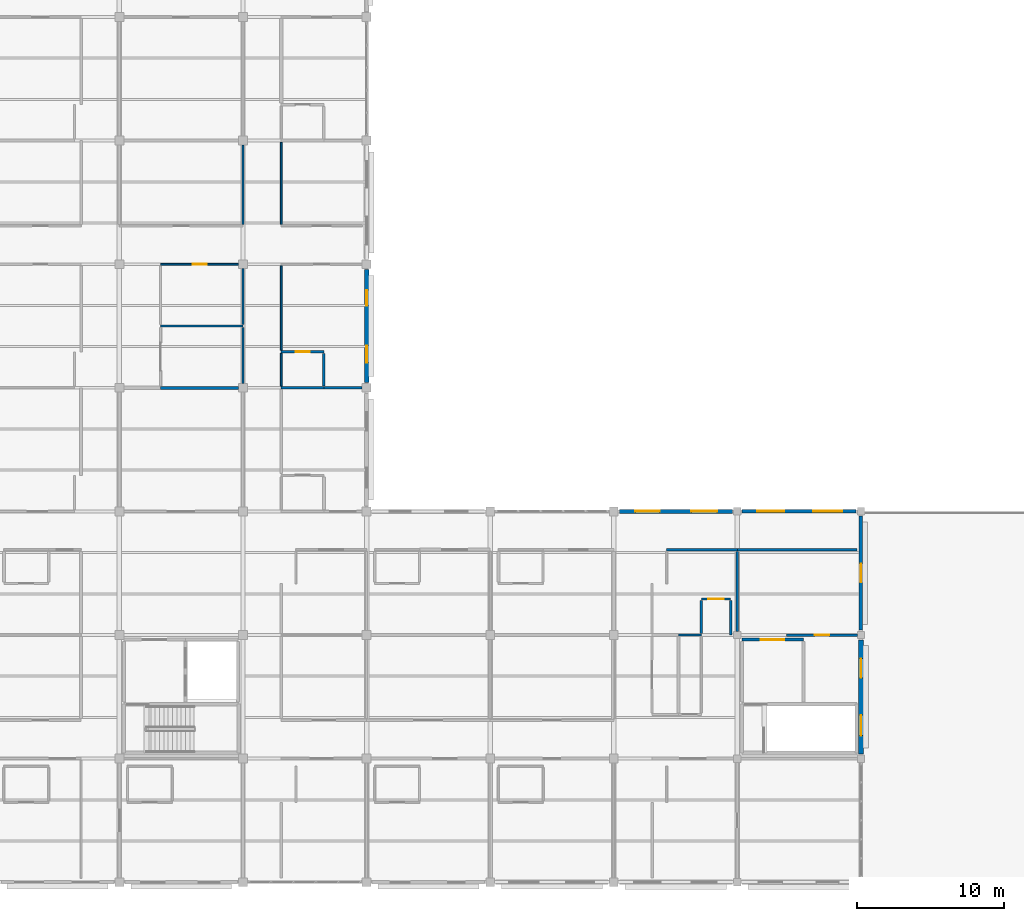
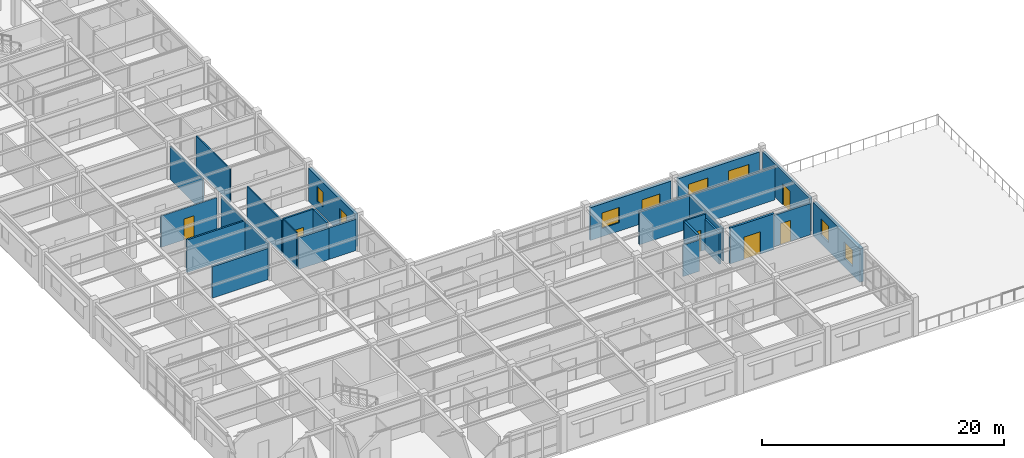
# One storey, part 48 of 70: 27 walls, 8 windows, 6 doors, 14 openings.
"""IFC4 building model written with IfcOpenShell, lengths in metres."""

from ifc_helpers import new_model, si_unit, direction, frame, frame_2d, origin, place, context, subcontext, project, spatial, rectangle, extrude, material, layer, layer_set, type_object, element, fill, save


model = new_model("IFC4")

# Units and contexts
model_context = context("Model", 3, precision=1e-05, world=origin(), true_north=direction((0.0, 1.0)))
body_context = subcontext(model_context, "Body", "Model", "MODEL_VIEW")
ifc_project = project(units=[si_unit("LENGTHUNIT", "METRE"), si_unit("AREAUNIT", "SQUARE_METRE"), si_unit("VOLUMEUNIT", "CUBIC_METRE"), si_unit("PLANEANGLEUNIT", "RADIAN"), si_unit("MASSUNIT", "GRAM", prefix="KILO")], contexts=[model_context])

# Site, building, storey
site_placement = place(None, origin())
site = spatial("IfcSite", under=ifc_project, at=site_placement, CompositionType="ELEMENT")
building_placement = place(site_placement, origin())
building = spatial("IfcBuilding", under=site, at=building_placement, Name="Bramfleet General Hospital", CompositionType="ELEMENT")
storey_placement = place(building_placement, frame((0.0, 0.0, 22.5)))
storey = spatial("IfcBuildingStorey", under=building, at=storey_placement, Name="L05", CompositionType="ELEMENT", Elevation=22.5)

# Wall, openings, windows
ifc_material_1 = material(Name="Precast concrete C40/50", Category="concrete")
ifc_layer_1 = layer(ifc_material_1, 0.3349609375, Name="WT-EW-03")
ifc_layer_set_1 = layer_set([ifc_layer_1], Name="Precast concrete C40/50")
wall_type_1 = type_object("IfcWallType", Name="WT-EW-03", PredefinedType="SOLIDWALL", material=ifc_layer_set_1)
wall_1_placement = place(storey_placement, frame((151.199951171875, 16.47509765625, 0.0), z_axis=(0.0, 0.0, 1.0), x_axis=(0.0, -1.0, 0.0)))
wall_1 = element("IfcWall", 1, at=wall_1_placement, inside=storey, type_object=wall_type_1, Name="L05 Exterior Wall 372", PredefinedType="SOLIDWALL", context=body_context, shape_type="SweptSolid", body=[
    extrude(rectangle(XDim=7.75, YDim=0.3349609375, at=frame_2d((3.875, 0.0))), origin(), (0.0, 0.0, 1.0), 3.3701171875),
])
opening_1_placement = place(wall_1_placement, frame((1.28759765625, 0.0, 0.85009765625)))
opening_1 = element("IfcOpeningElement", 2, at=opening_1_placement, cuts=wall_1, Name="Opening W-33", PredefinedType="OPENING", context=body_context, shape_type="SweptSolid", body=[
    extrude(rectangle(XDim=1.300048828125, YDim=1.659912109375, at=frame_2d((0.64990234375, 0.830078125))), frame((0.0, 0.177490234375, 0.0), z_axis=(0.0, -1.0, 0.0), x_axis=(1.0, 0.0, 0.0)), (0.0, 0.0, 1.0), 0.35498046875),
])
opening_2_placement = place(wall_1_placement, frame((5.112548828125, 0.0, 0.85009765625)))
opening_2 = element("IfcOpeningElement", 3, at=opening_2_placement, cuts=wall_1, Name="Opening W-34", PredefinedType="OPENING", context=body_context, shape_type="SweptSolid", body=[
    extrude(rectangle(XDim=1.39990234375, YDim=1.659912109375, at=frame_2d((0.699951171875, 0.830078125))), frame((0.0, 0.177490234375, 0.0), z_axis=(0.0, -1.0, 0.0), x_axis=(1.0, 0.0, 0.0)), (0.0, 0.0, 1.0), 0.35498046875),
])
ifc_material_2 = material(Name="Anodised aluminium and low-E triple glazing", Category="aluminium")
window_type_1 = type_object("IfcWindowType", Name="WIN-W-33", PartitioningType="SINGLE_PANEL", PredefinedType="WINDOW", material=ifc_material_2)
window_1_placement = place(opening_1_placement, origin())
window_1 = element("IfcWindow", 4, at=window_1_placement, inside=storey, type_object=window_type_1, Name="L05 Facade Window WIN-L05-372-1", OverallHeight=1.659912109375, OverallWidth=1.300048828125, PartitioningType="SINGLE_PANEL", PredefinedType="WINDOW", context=body_context, shape_type="SweptSolid", body=[
    extrude(rectangle(XDim=1.300048828125, YDim=1.659912109375, at=frame_2d((0.64990234375, 0.830078125))), frame((0.0, 0.030029296875, 0.0), z_axis=(0.0, -1.0, 0.0), x_axis=(1.0, 0.0, 0.0)), (0.0, 0.0, 1.0), 0.06005859375),
])
fill(opening_1, window_1)
window_type_2 = type_object("IfcWindowType", Name="WIN-W-34", PartitioningType="SINGLE_PANEL", PredefinedType="WINDOW", material=ifc_material_2)
window_2_placement = place(opening_2_placement, origin())
window_2 = element("IfcWindow", 5, at=window_2_placement, inside=storey, type_object=window_type_2, Name="L05 Facade Window WIN-L05-372-2", OverallHeight=1.659912109375, OverallWidth=1.39990234375, PartitioningType="SINGLE_PANEL", PredefinedType="WINDOW", context=body_context, shape_type="SweptSolid", body=[
    extrude(rectangle(XDim=1.39990234375, YDim=1.659912109375, at=frame_2d((0.699951171875, 0.830078125))), frame((0.0, 0.030029296875, 0.0), z_axis=(0.0, -1.0, 0.0), x_axis=(1.0, 0.0, 0.0)), (0.0, 0.0, 1.0), 0.06005859375),
])
fill(opening_2, window_2)

ifc_layer_2 = layer(ifc_material_1, 0.31494140625, Name="WT-EW-04")
ifc_layer_set_2 = layer_set([ifc_layer_2], Name="Precast concrete C40/50")
wall_type_2 = type_object("IfcWallType", Name="WT-EW-04", PredefinedType="SOLIDWALL", material=ifc_layer_set_2)
wall_2_placement = place(storey_placement, frame((117.60009765625, 41.625, 0.0), z_axis=(0.0, 0.0, 1.0), x_axis=(0.0, -1.0, 0.0)))
wall_2 = element("IfcWall", 6, at=wall_2_placement, inside=storey, type_object=wall_type_2, Name="L05 Exterior Wall 366", PredefinedType="SOLIDWALL", context=body_context, shape_type="SweptSolid", body=[
    extrude(rectangle(XDim=7.64990234375, YDim=0.31494140625, at=frame_2d((3.824951171875, 0.0))), origin(), (0.0, 0.0, 1.0), 3.340087890625),
])
opening_3_placement = place(wall_2_placement, frame((1.387451171875, 0.0, 0.85009765625)))
opening_3 = element("IfcOpeningElement", 7, at=opening_3_placement, cuts=wall_2, Name="Opening W-21", PredefinedType="OPENING", context=body_context, shape_type="SweptSolid", body=[
    extrude(rectangle(XDim=1.050048828125, YDim=1.5400390625, at=frame_2d((0.52490234375, 0.77001953125))), frame((0.0, 0.16748046875, 0.0), z_axis=(0.0, -1.0, 0.0), x_axis=(1.0, 0.0, 0.0)), (0.0, 0.0, 1.0), 0.3349609375),
])
opening_4_placement = place(wall_2_placement, frame((5.16259765625, 0.0, 0.85009765625)))
opening_4 = element("IfcOpeningElement", 8, at=opening_4_placement, cuts=wall_2, Name="Opening W-22", PredefinedType="OPENING", context=body_context, shape_type="SweptSolid", body=[
    extrude(rectangle(XDim=1.14990234375, YDim=1.5400390625, at=frame_2d((0.574951171875, 0.77001953125))), frame((0.0, 0.16748046875, 0.0), z_axis=(0.0, -1.0, 0.0), x_axis=(1.0, 0.0, 0.0)), (0.0, 0.0, 1.0), 0.3349609375),
])
window_type_3 = type_object("IfcWindowType", Name="WIN-W-21", PartitioningType="SINGLE_PANEL", PredefinedType="WINDOW", material=ifc_material_2)
window_3_placement = place(opening_3_placement, origin())
window_3 = element("IfcWindow", 9, at=window_3_placement, inside=storey, type_object=window_type_3, Name="L05 Facade Window WIN-L05-366-1", OverallHeight=1.5400390625, OverallWidth=1.050048828125, PartitioningType="SINGLE_PANEL", PredefinedType="WINDOW", context=body_context, shape_type="SweptSolid", body=[
    extrude(rectangle(XDim=1.050048828125, YDim=1.5400390625, at=frame_2d((0.52490234375, 0.77001953125))), frame((0.0, 0.030029296875, 0.0), z_axis=(0.0, -1.0, 0.0), x_axis=(1.0, 0.0, 0.0)), (0.0, 0.0, 1.0), 0.06005859375),
])
fill(opening_3, window_3)
window_type_4 = type_object("IfcWindowType", Name="WIN-W-22", PartitioningType="SINGLE_PANEL", PredefinedType="WINDOW", material=ifc_material_2)
window_4_placement = place(opening_4_placement, origin())
window_4 = element("IfcWindow", 10, at=window_4_placement, inside=storey, type_object=window_type_4, Name="L05 Facade Window WIN-L05-366-2", OverallHeight=1.5400390625, OverallWidth=1.14990234375, PartitioningType="SINGLE_PANEL", PredefinedType="WINDOW", context=body_context, shape_type="SweptSolid", body=[
    extrude(rectangle(XDim=1.14990234375, YDim=1.5400390625, at=frame_2d((0.574951171875, 0.77001953125))), frame((0.0, 0.030029296875, 0.0), z_axis=(0.0, -1.0, 0.0), x_axis=(1.0, 0.0, 0.0)), (0.0, 0.0, 1.0), 0.06005859375),
])
fill(opening_4, window_4)

ifc_layer_3 = layer(ifc_material_1, 0.264892578125, Name="WT-EW-07")
ifc_layer_set_3 = layer_set([ifc_layer_3], Name="Precast concrete C40/50")
wall_type_3 = type_object("IfcWallType", Name="WT-EW-07", PredefinedType="SOLIDWALL", material=ifc_layer_set_3)
wall_3_placement = place(storey_placement, frame((134.77490234375, 25.199951171875, 0.0), z_axis=(0.0, 0.0, 1.0), x_axis=(1.0, 0.0, 0.0)))
wall_3 = element("IfcWall", 11, at=wall_3_placement, inside=storey, type_object=wall_type_3, Name="L05 Exterior Wall 369", PredefinedType="SOLIDWALL", context=body_context, shape_type="SweptSolid", body=[
    extrude(rectangle(XDim=7.7001953125, YDim=0.264892578125, at=frame_2d((3.85009765625, 0.0))), origin(), (0.0, 0.0, 1.0), 3.31005859375),
])
opening_5_placement = place(wall_3_placement, frame((1.10009765625, 0.0, 0.85009765625)))
opening_5 = element("IfcOpeningElement", 12, at=opening_5_placement, cuts=wall_3, Name="Opening W-27", PredefinedType="OPENING", context=body_context, shape_type="SweptSolid", body=[
    extrude(rectangle(XDim=1.64990234375, YDim=1.5400390625, at=frame_2d((0.824951171875, 0.77001953125))), frame((0.0, 0.142333984375, 0.0), z_axis=(0.0, -1.0, 0.0), x_axis=(1.0, 0.0, 0.0)), (0.0, 0.0, 1.0), 0.284912109375),
])
opening_6_placement = place(wall_3_placement, frame((4.89990234375, 0.0, 0.85009765625)))
opening_6 = element("IfcOpeningElement", 13, at=opening_6_placement, cuts=wall_3, Name="Opening W-28", PredefinedType="OPENING", context=body_context, shape_type="SweptSolid", body=[
    extrude(rectangle(XDim=1.75, YDim=1.5400390625, at=frame_2d((0.875, 0.77001953125))), frame((0.0, 0.142333984375, 0.0), z_axis=(0.0, -1.0, 0.0), x_axis=(1.0, 0.0, 0.0)), (0.0, 0.0, 1.0), 0.284912109375),
])
window_type_5 = type_object("IfcWindowType", Name="WIN-W-27", PartitioningType="SINGLE_PANEL", PredefinedType="WINDOW", material=ifc_material_2)
window_5_placement = place(opening_5_placement, origin())
window_5 = element("IfcWindow", 14, at=window_5_placement, inside=storey, type_object=window_type_5, Name="L05 Facade Window WIN-L05-369-1", OverallHeight=1.5400390625, OverallWidth=1.64990234375, PartitioningType="SINGLE_PANEL", PredefinedType="WINDOW", context=body_context, shape_type="SweptSolid", body=[
    extrude(rectangle(XDim=1.64990234375, YDim=1.5400390625, at=frame_2d((0.824951171875, 0.77001953125))), frame((0.0, 0.030029296875, 0.0), z_axis=(0.0, -1.0, 0.0), x_axis=(1.0, 0.0, 0.0)), (0.0, 0.0, 1.0), 0.06005859375),
])
fill(opening_5, window_5)
window_type_6 = type_object("IfcWindowType", Name="WIN-W-28", PartitioningType="SINGLE_PANEL", PredefinedType="WINDOW", material=ifc_material_2)
window_6_placement = place(opening_6_placement, origin())
window_6 = element("IfcWindow", 15, at=window_6_placement, inside=storey, type_object=window_type_6, Name="L05 Facade Window WIN-L05-369-2", OverallHeight=1.5400390625, OverallWidth=1.75, PartitioningType="SINGLE_PANEL", PredefinedType="WINDOW", context=body_context, shape_type="SweptSolid", body=[
    extrude(rectangle(XDim=1.75, YDim=1.5400390625, at=frame_2d((0.875, 0.77001953125))), frame((0.0, 0.030029296875, 0.0), z_axis=(0.0, -1.0, 0.0), x_axis=(1.0, 0.0, 0.0)), (0.0, 0.0, 1.0), 0.06005859375),
])
fill(opening_6, window_6)

ifc_layer_4 = layer(ifc_material_1, 0.25, Name="WT-EW-08")
ifc_layer_set_4 = layer_set([ifc_layer_4], Name="Precast concrete C40/50")
wall_type_4 = type_object("IfcWallType", Name="WT-EW-08", PredefinedType="SOLIDWALL", material=ifc_layer_set_4)
wall_4_placement = place(storey_placement, frame((143.125, 25.199951171875, 0.0), z_axis=(0.0, 0.0, 1.0), x_axis=(1.0, 0.0, 0.0)))
wall_4 = element("IfcWall", 16, at=wall_4_placement, inside=storey, type_object=wall_type_4, Name="L05 Exterior Wall 370", PredefinedType="SOLIDWALL", context=body_context, shape_type="SweptSolid", body=[
    extrude(rectangle(XDim=7.75, YDim=0.25, at=frame_2d((3.875, 0.0))), origin(), (0.0, 0.0, 1.0), 3.300048828125),
])
opening_7_placement = place(wall_4_placement, frame((1.012451171875, 0.0, 0.85009765625)))
opening_7 = element("IfcOpeningElement", 17, at=opening_7_placement, cuts=wall_4, Name="Opening W-29", PredefinedType="OPENING", context=body_context, shape_type="SweptSolid", body=[
    extrude(rectangle(XDim=1.85009765625, YDim=1.5400390625, at=frame_2d((0.925048828125, 0.77001953125))), frame((0.0, 0.135009765625, 0.0), z_axis=(0.0, -1.0, 0.0), x_axis=(1.0, 0.0, 0.0)), (0.0, 0.0, 1.0), 0.27001953125),
])
opening_8_placement = place(wall_4_placement, frame((4.83740234375, 0.0, 0.85009765625)))
opening_8 = element("IfcOpeningElement", 18, at=opening_8_placement, cuts=wall_4, Name="Opening W-30", PredefinedType="OPENING", context=body_context, shape_type="SweptSolid", body=[
    extrude(rectangle(XDim=1.949951171875, YDim=1.5400390625, at=frame_2d((0.97509765625, 0.77001953125))), frame((0.0, 0.135009765625, 0.0), z_axis=(0.0, -1.0, 0.0), x_axis=(1.0, 0.0, 0.0)), (0.0, 0.0, 1.0), 0.27001953125),
])
window_type_7 = type_object("IfcWindowType", Name="WIN-W-29", PartitioningType="SINGLE_PANEL", PredefinedType="WINDOW", material=ifc_material_2)
window_7_placement = place(opening_7_placement, origin())
window_7 = element("IfcWindow", 19, at=window_7_placement, inside=storey, type_object=window_type_7, Name="L05 Facade Window WIN-L05-370-1", OverallHeight=1.5400390625, OverallWidth=1.85009765625, PartitioningType="SINGLE_PANEL", PredefinedType="WINDOW", context=body_context, shape_type="SweptSolid", body=[
    extrude(rectangle(XDim=1.85009765625, YDim=1.5400390625, at=frame_2d((0.925048828125, 0.77001953125))), frame((0.0, 0.030029296875, 0.0), z_axis=(0.0, -1.0, 0.0), x_axis=(1.0, 0.0, 0.0)), (0.0, 0.0, 1.0), 0.06005859375),
])
fill(opening_7, window_7)
window_type_8 = type_object("IfcWindowType", Name="WIN-W-30", PartitioningType="SINGLE_PANEL", PredefinedType="WINDOW", material=ifc_material_2)
window_8_placement = place(opening_8_placement, origin())
window_8 = element("IfcWindow", 20, at=window_8_placement, inside=storey, type_object=window_type_8, Name="L05 Facade Window WIN-L05-370-2", OverallHeight=1.5400390625, OverallWidth=1.949951171875, PartitioningType="SINGLE_PANEL", PredefinedType="WINDOW", context=body_context, shape_type="SweptSolid", body=[
    extrude(rectangle(XDim=1.949951171875, YDim=1.5400390625, at=frame_2d((0.97509765625, 0.77001953125))), frame((0.0, 0.030029296875, 0.0), z_axis=(0.0, -1.0, 0.0), x_axis=(1.0, 0.0, 0.0)), (0.0, 0.0, 1.0), 0.06005859375),
])
fill(opening_8, window_8)

# Wall, opening, door
ifc_layer_5 = layer(ifc_material_1, 0.235107421875, Name="WT-EW-09")
ifc_layer_set_5 = layer_set([ifc_layer_5], Name="Precast concrete C40/50")
wall_type_5 = type_object("IfcWallType", Name="WT-EW-09", PredefinedType="SOLIDWALL", material=ifc_layer_set_5)
wall_5_placement = place(storey_placement, frame((151.199951171875, 24.875, 0.0), z_axis=(0.0, 0.0, 1.0), x_axis=(0.0, -1.0, 0.0)))
wall_5 = element("IfcWall", 21, at=wall_5_placement, inside=storey, type_object=wall_type_5, Name="L05 Exterior Wall 371", PredefinedType="SOLIDWALL", context=body_context, shape_type="SweptSolid", body=[
    extrude(rectangle(XDim=7.75, YDim=0.235107421875, at=frame_2d((3.875, 0.0))), origin(), (0.0, 0.0, 1.0), 3.3701171875),
])
opening_9_placement = place(wall_5_placement, frame((3.2451171875, 0.0, 0.0)))
opening_9 = element("IfcOpeningElement", 22, at=opening_9_placement, cuts=wall_5, Name="Opening D-L05-TER-028", PredefinedType="OPENING", context=body_context, shape_type="SweptSolid", body=[
    extrude(rectangle(XDim=1.260009765625, YDim=2.14990234375, at=frame_2d((0.6298828125, 1.074951171875))), frame((0.0, 0.12744140625, 0.0), z_axis=(0.0, -1.0, 0.0), x_axis=(1.0, 0.0, 0.0)), (0.0, 0.0, 1.0), 0.255126953125),
])
ifc_material_3 = material(Name="Thermally broken steel and laminated safety glass", Category="steel")
door_type_1 = type_object("IfcDoorType", Name="DR-ED-05", OperationType="NOTDEFINED", PredefinedType="DOOR", material=ifc_material_3)
door_1_placement = place(opening_9_placement, origin())
door_1 = element("IfcDoor", 23, at=door_1_placement, inside=storey, type_object=door_type_1, Name="L05 Terrace Pedestrian Access Door D-L05-TER-028", OperationType="SINGLE_SWING_LEFT", OverallHeight=2.14990234375, OverallWidth=1.260009765625, PredefinedType="DOOR", context=body_context, shape_type="SweptSolid", body=[
    extrude(rectangle(XDim=1.260009765625, YDim=2.14990234375, at=frame_2d((0.6298828125, 1.074951171875))), frame((0.0, 0.02490234375, 0.0), z_axis=(0.0, -1.0, 0.0), x_axis=(1.0, 0.0, 0.0)), (0.0, 0.0, 1.0), 0.050048828125),
])
fill(opening_9, door_1)

ifc_material_4 = material(Name="Concrete C35/45", Category="concrete")
ifc_layer_6 = layer(ifc_material_4, 0.205078125, Name="WT-IW-02")
ifc_layer_set_6 = layer_set([ifc_layer_6], Name="Concrete C35/45")
wall_type_6 = type_object("IfcWallType", Name="WT-IW-02", PredefinedType="PARTITIONING", material=ifc_layer_set_6)
wall_6_placement = place(storey_placement, frame((143.10009765625, 16.47998046875, 0.0), z_axis=(0.0, 0.0, 1.0), x_axis=(1.0, 0.0, 0.0)))
wall_6 = element("IfcWall", 24, at=wall_6_placement, inside=storey, type_object=wall_type_6, Name="L05 C10 Lobby North Compartment Wall", PredefinedType="PARTITIONING", context=body_context, shape_type="SweptSolid", body=[
    extrude(rectangle(XDim=4.179931640625, YDim=0.205078125, at=frame_2d((2.08984375, 0.0))), origin(), (0.0, 0.0, 1.0), 3.610107421875),
])
opening_10_placement = place(wall_6_placement, frame((1.2900390625, 0.0, 0.0)))
opening_10 = element("IfcOpeningElement", 25, at=opening_10_placement, cuts=wall_6, Name="Opening D0136", PredefinedType="OPENING", context=body_context, shape_type="SweptSolid", body=[
    extrude(rectangle(XDim=1.60009765625, YDim=2.25, at=frame_2d((0.800048828125, 1.125))), frame((0.0, 0.112548828125, 0.0), z_axis=(0.0, -1.0, 0.0), x_axis=(1.0, 0.0, 0.0)), (0.0, 0.0, 1.0), 0.22509765625),
])
ifc_material_5 = material(Name="Stainless steel and acoustic timber leaf", Category="steel")
door_type_2 = type_object("IfcDoorType", Name="DR-D-04", OperationType="NOTDEFINED", PredefinedType="DOOR", material=ifc_material_5)
door_2_placement = place(opening_10_placement, origin())
door_2 = element("IfcDoor", 26, at=door_2_placement, inside=storey, type_object=door_type_2, Name="L05 C10 Lobby Fire Door D0136", OperationType="DOUBLE_SWING_LEFT", OverallHeight=2.25, OverallWidth=1.60009765625, PredefinedType="DOOR", context=body_context, shape_type="SweptSolid", body=[
    extrude(rectangle(XDim=1.60009765625, YDim=2.25, at=frame_2d((0.800048828125, 1.125))), frame((0.0, 0.02490234375, 0.0), z_axis=(0.0, -1.0, 0.0), x_axis=(1.0, 0.0, 0.0)), (0.0, 0.0, 1.0), 0.050048828125),
])
fill(opening_10, door_2)

# Walls
wall_7_placement = place(storey_placement, frame((103.60009765625, 33.60009765625, 0.0), z_axis=(0.0, 0.0, 1.0), x_axis=(1.0, 0.0, 0.0)))
element("IfcWall", 27, at=wall_7_placement, inside=storey, type_object=wall_type_6, Name="L05 Interior Partition IW-L05-3542", PredefinedType="PARTITIONING", context=body_context, shape_type="SweptSolid", body=[
    extrude(rectangle(XDim=5.304931640625, YDim=0.205078125, at=frame_2d((2.65234375, 0.0))), origin(), (0.0, 0.0, 1.0), 3.159912109375),
])
ifc_layer_7 = layer(ifc_material_4, 0.18994140625, Name="WT-IW-03")
ifc_layer_set_7 = layer_set([ifc_layer_7], Name="Concrete C35/45")
wall_type_7 = type_object("IfcWallType", Name="WT-IW-03", PredefinedType="PARTITIONING", material=ifc_layer_set_7)
wall_8_placement = place(storey_placement, frame((111.800048828125, 33.60009765625, 0.0), z_axis=(0.0, 0.0, 1.0), x_axis=(1.0, 0.0, 0.0)))
element("IfcWall", 28, at=wall_8_placement, inside=storey, type_object=wall_type_7, Name="L05 Interior Partition IW-L05-3543", PredefinedType="PARTITIONING", context=body_context, shape_type="SweptSolid", body=[
    extrude(rectangle(XDim=2.89990234375, YDim=0.18994140625, at=frame_2d((1.449951171875, 0.0))), origin(), (0.0, 0.0, 1.0), 3.159912109375),
])
wall_9_placement = place(storey_placement, frame((140.35009765625, 16.9150390625, 0.0), z_axis=(0.0, 0.0, 1.0), x_axis=(0.0, 1.0, 0.0)))
element("IfcWall", 29, at=wall_9_placement, inside=storey, type_object=wall_type_7, Name="L05 Interior Partition IW-L05-3819", PredefinedType="PARTITIONING", context=body_context, shape_type="SweptSolid", body=[
    extrude(rectangle(XDim=2.219970703125, YDim=0.18994140625, at=frame_2d((1.10986328125, 0.0))), origin(), (0.0, 0.0, 1.0), 3.610107421875),
])
ifc_layer_8 = layer(ifc_material_4, 0.179931640625, Name="WT-IW-04")
ifc_layer_set_8 = layer_set([ifc_layer_8], Name="Concrete C35/45")
wall_type_8 = type_object("IfcWallType", Name="WT-IW-04", PredefinedType="PARTITIONING", material=ifc_layer_set_8)
wall_10_placement = place(storey_placement, frame((114.699951171875, 33.60009765625, 0.0), z_axis=(0.0, 0.0, 1.0), x_axis=(1.0, 0.0, 0.0)))
element("IfcWall", 30, at=wall_10_placement, inside=storey, type_object=wall_type_8, Name="L05 Interior Partition IW-L05-3544", PredefinedType="PARTITIONING", context=body_context, shape_type="SweptSolid", body=[
    extrude(rectangle(XDim=2.60498046875, YDim=0.179931640625, at=frame_2d((1.302490234375, 0.0))), origin(), (0.0, 0.0, 1.0), 3.159912109375),
])
wall_11_placement = place(storey_placement, frame((114.699951171875, 33.715087890625, 0.0), z_axis=(0.0, 0.0, 1.0), x_axis=(0.0, 1.0, 0.0)))
element("IfcWall", 31, at=wall_11_placement, inside=storey, type_object=wall_type_8, Name="L05 Interior Partition IW-L05-3772", PredefinedType="PARTITIONING", context=body_context, shape_type="SweptSolid", body=[
    extrude(rectangle(XDim=2.219970703125, YDim=0.179931640625, at=frame_2d((1.10986328125, 0.0))), origin(), (0.0, 0.0, 1.0), 3.610107421875),
])
wall_12_placement = place(storey_placement, frame((142.35009765625, 16.800048828125, 0.0), z_axis=(0.0, 0.0, 1.0), x_axis=(0.0, 1.0, 0.0)))
element("IfcWall", 32, at=wall_12_placement, inside=storey, type_object=wall_type_8, Name="L05 Interior Partition IW-L05-3820", PredefinedType="PARTITIONING", context=body_context, shape_type="SweptSolid", body=[
    extrude(rectangle(XDim=2.3349609375, YDim=0.179931640625, at=frame_2d((1.16748046875, 0.0))), origin(), (0.0, 0.0, 1.0), 3.159912109375),
])

# Wall, opening, door
ifc_material_6 = material(Name="Gypsum plasterboard on acoustic steel studs", Category="steel")
ifc_layer_9 = layer(ifc_material_6, 0.169921875, Name="WT-IW-05")
ifc_layer_set_9 = layer_set([ifc_layer_9], Name="Gypsum plasterboard on acoustic steel studs")
wall_type_9 = type_object("IfcWallType", Name="WT-IW-05", PredefinedType="PARTITIONING", material=ifc_layer_set_9)
wall_13_placement = place(storey_placement, frame((146.14990234375, 16.800048828125, 0.0), z_axis=(0.0, 0.0, 1.0), x_axis=(1.0, 0.0, 0.0)))
wall_13 = element("IfcWall", 33, at=wall_13_placement, inside=storey, type_object=wall_type_9, Name="L05 Interior Partition IW-L05-3521", PredefinedType="PARTITIONING", context=body_context, shape_type="SweptSolid", body=[
    extrude(rectangle(XDim=4.80517578125, YDim=0.169921875, at=frame_2d((2.402587890625, 0.0))), origin(), (0.0, 0.0, 1.0), 3.14990234375),
])
opening_11_placement = place(wall_13_placement, frame((1.91259765625, 0.0, 0.0)))
opening_11 = element("IfcOpeningElement", 34, at=opening_11_placement, cuts=wall_13, Name="Opening D1434", PredefinedType="OPENING", context=body_context, shape_type="SweptSolid", body=[
    extrude(rectangle(XDim=0.97998046875, YDim=2.1201171875, at=frame_2d((0.489990234375, 1.06005859375))), frame((0.0, 0.094970703125, 0.0), z_axis=(0.0, -1.0, 0.0), x_axis=(1.0, 0.0, 0.0)), (0.0, 0.0, 1.0), 0.18994140625),
])
door_type_3 = type_object("IfcDoorType", Name="DR-D-26", OperationType="NOTDEFINED", PredefinedType="DOOR", material=ifc_material_5)
door_3_placement = place(opening_11_placement, origin())
door_3 = element("IfcDoor", 35, at=door_3_placement, inside=storey, type_object=door_type_3, Name="Patient Dayroom and Garden Lounge L05-1702 Door D1434", OperationType="SINGLE_SWING_LEFT", OverallHeight=2.1201171875, OverallWidth=0.97998046875, PredefinedType="DOOR", context=body_context, shape_type="SweptSolid", body=[
    extrude(rectangle(XDim=0.97998046875, YDim=2.1201171875, at=frame_2d((0.489990234375, 1.06005859375))), frame((0.0, 0.02490234375, 0.0), z_axis=(0.0, -1.0, 0.0), x_axis=(1.0, 0.0, 0.0)), (0.0, 0.0, 1.0), 0.050048828125),
])
fill(opening_11, door_3)

# Wall
wall_14_placement = place(storey_placement, frame((138.0, 22.60009765625, 0.0), z_axis=(0.0, 0.0, 1.0), x_axis=(1.0, 0.0, 0.0)))
element("IfcWall", 36, at=wall_14_placement, inside=storey, type_object=wall_type_9, Name="L05 Interior Partition IW-L05-3533", PredefinedType="PARTITIONING", context=body_context, shape_type="SweptSolid", body=[
    extrude(rectangle(XDim=4.800048828125, YDim=0.169921875, at=frame_2d((2.39990234375, 0.0))), origin(), (0.0, 0.0, 1.0), 3.2900390625),
])

# Wall, opening, door
wall_15_placement = place(storey_placement, frame((111.800048828125, 36.050048828125, 0.0), z_axis=(0.0, 0.0, 1.0), x_axis=(1.0, 0.0, 0.0)))
wall_15 = element("IfcWall", 37, at=wall_15_placement, inside=storey, type_object=wall_type_9, Name="L05 Interior Partition IW-L05-3545", PredefinedType="PARTITIONING", context=body_context, shape_type="SweptSolid", body=[
    extrude(rectangle(XDim=2.89990234375, YDim=0.169921875, at=frame_2d((1.449951171875, 0.0))), origin(), (0.0, 0.0, 1.0), 3.610107421875),
])
opening_12_placement = place(wall_15_placement, frame((0.97509765625, 0.0, 0.0)))
opening_12 = element("IfcOpeningElement", 38, at=opening_12_placement, cuts=wall_15, Name="Opening D1398", PredefinedType="OPENING", context=body_context, shape_type="SweptSolid", body=[
    extrude(rectangle(XDim=0.949951171875, YDim=2.10009765625, at=frame_2d((0.47509765625, 1.050048828125))), frame((0.0, 0.094970703125, 0.0), z_axis=(0.0, -1.0, 0.0), x_axis=(1.0, 0.0, 0.0)), (0.0, 0.0, 1.0), 0.18994140625),
])
door_type_4 = type_object("IfcDoorType", Name="DR-D-10", OperationType="NOTDEFINED", PredefinedType="DOOR", material=ifc_material_5)
door_4_placement = place(opening_12_placement, origin())
door_4 = element("IfcDoor", 39, at=door_4_placement, inside=storey, type_object=door_type_4, Name="En-Suite Bathroom L05-1304 Door D1398", OperationType="SINGLE_SWING_LEFT", OverallHeight=2.10009765625, OverallWidth=0.949951171875, PredefinedType="DOOR", context=body_context, shape_type="SweptSolid", body=[
    extrude(rectangle(XDim=0.949951171875, YDim=2.10009765625, at=frame_2d((0.47509765625, 1.050048828125))), frame((0.0, 0.02490234375, 0.0), z_axis=(0.0, -1.0, 0.0), x_axis=(1.0, 0.0, 0.0)), (0.0, 0.0, 1.0), 0.050048828125),
])
fill(opening_12, door_4)

ifc_layer_10 = layer(ifc_material_6, 0.159912109375, Name="WT-IW-06")
ifc_layer_set_10 = layer_set([ifc_layer_10], Name="Gypsum plasterboard on acoustic steel studs")
wall_type_10 = type_object("IfcWallType", Name="WT-IW-06", PredefinedType="PARTITIONING", material=ifc_layer_set_10)
wall_16_placement = place(storey_placement, frame((140.35009765625, 19.25, 0.0), z_axis=(0.0, 0.0, 1.0), x_axis=(1.0, 0.0, 0.0)))
wall_16 = element("IfcWall", 40, at=wall_16_placement, inside=storey, type_object=wall_type_10, Name="L05 Interior Partition IW-L05-3522", PredefinedType="PARTITIONING", context=body_context, shape_type="SweptSolid", body=[
    extrude(rectangle(XDim=2.0, YDim=0.159912109375, at=frame_2d((1.0, 0.0))), origin(), (0.0, 0.0, 1.0), 3.610107421875),
])
opening_13_placement = place(wall_16_placement, frame((0.4599609375, 0.0, 0.0)))
opening_13 = element("IfcOpeningElement", 41, at=opening_13_placement, cuts=wall_16, Name="Opening D1430", PredefinedType="OPENING", context=body_context, shape_type="SweptSolid", body=[
    extrude(rectangle(XDim=1.080078125, YDim=2.1201171875, at=frame_2d((0.5400390625, 1.06005859375))), frame((0.0, 0.08984375, 0.0), z_axis=(0.0, -1.0, 0.0), x_axis=(1.0, 0.0, 0.0)), (0.0, 0.0, 1.0), 0.179931640625),
])
door_type_5 = type_object("IfcDoorType", Name="DR-D-22", OperationType="NOTDEFINED", PredefinedType="DOOR", material=ifc_material_5)
door_5_placement = place(opening_13_placement, origin())
door_5 = element("IfcDoor", 42, at=door_5_placement, inside=storey, type_object=door_type_5, Name="Medical and Cardiology Ward Bedroom L05-1602 Door D1430", OperationType="SINGLE_SWING_LEFT", OverallHeight=2.1201171875, OverallWidth=1.080078125, PredefinedType="DOOR", context=body_context, shape_type="SweptSolid", body=[
    extrude(rectangle(XDim=1.080078125, YDim=2.1201171875, at=frame_2d((0.5400390625, 1.06005859375))), frame((0.0, 0.02490234375, 0.0), z_axis=(0.0, -1.0, 0.0), x_axis=(1.0, 0.0, 0.0)), (0.0, 0.0, 1.0), 0.050048828125),
])
fill(opening_13, door_5)

# Walls
wall_17_placement = place(storey_placement, frame((142.800048828125, 22.60009765625, 0.0), z_axis=(0.0, 0.0, 1.0), x_axis=(1.0, 0.0, 0.0)))
element("IfcWall", 43, at=wall_17_placement, inside=storey, type_object=wall_type_10, Name="L05 Interior Partition IW-L05-3534", PredefinedType="PARTITIONING", context=body_context, shape_type="SweptSolid", body=[
    extrude(rectangle(XDim=8.119873046875, YDim=0.159912109375, at=frame_2d((4.06005859375, 0.0))), origin(), (0.0, 0.0, 1.0), 3.2900390625),
])
wall_18_placement = place(storey_placement, frame((103.60009765625, 37.800048828125, 0.0), z_axis=(0.0, 0.0, 1.0), x_axis=(1.0, 0.0, 0.0)))
element("IfcWall", 44, at=wall_18_placement, inside=storey, type_object=wall_type_10, Name="L05 Interior Partition IW-L05-3546", PredefinedType="PARTITIONING", context=body_context, shape_type="SweptSolid", body=[
    extrude(rectangle(XDim=5.599853515625, YDim=0.159912109375, at=frame_2d((2.7998046875, 0.0))), origin(), (0.0, 0.0, 1.0), 3.300048828125),
])
wall_19_placement = place(storey_placement, frame((109.199951171875, 33.89501953125, 0.0), z_axis=(0.0, 0.0, 1.0), x_axis=(0.0, 1.0, 0.0)))
element("IfcWall", 45, at=wall_19_placement, inside=storey, type_object=wall_type_10, Name="L05 Interior Partition IW-L05-3738", PredefinedType="PARTITIONING", context=body_context, shape_type="SweptSolid", body=[
    extrude(rectangle(XDim=3.7900390625, YDim=0.159912109375, at=frame_2d((1.89501953125, 0.0))), origin(), (0.0, 0.0, 1.0), 3.300048828125),
])
wall_20_placement = place(storey_placement, frame((142.800048828125, 17.044921875, 0.0), z_axis=(0.0, 0.0, 1.0), x_axis=(0.0, 1.0, 0.0)))
element("IfcWall", 46, at=wall_20_placement, inside=storey, type_object=wall_type_10, Name="L05 Interior Partition IW-L05-3822", PredefinedType="PARTITIONING", context=body_context, shape_type="SweptSolid", body=[
    extrude(rectangle(XDim=5.440185546875, YDim=0.159912109375, at=frame_2d((2.72021484375, 0.0))), origin(), (0.0, 0.0, 1.0), 3.2900390625),
])
ifc_layer_11 = layer(ifc_material_6, 0.139892578125, Name="WT-IW-08")
ifc_layer_set_11 = layer_set([ifc_layer_11], Name="Gypsum plasterboard on acoustic steel studs")
wall_type_11 = type_object("IfcWallType", Name="WT-IW-08", PredefinedType="PARTITIONING", material=ifc_layer_set_11)
wall_21_placement = place(storey_placement, frame((109.199951171875, 44.715087890625, 0.0), z_axis=(0.0, 0.0, 1.0), x_axis=(0.0, 1.0, 0.0)))
element("IfcWall", 47, at=wall_21_placement, inside=storey, type_object=wall_type_11, Name="L05 Interior Partition IW-L05-3740", PredefinedType="PARTITIONING", context=body_context, shape_type="SweptSolid", body=[
    extrude(rectangle(XDim=5.389892578125, YDim=0.139892578125, at=frame_2d((2.69482421875, 0.0))), origin(), (0.0, 0.0, 1.0), 3.300048828125),
])
ifc_layer_12 = layer(ifc_material_6, 0.1201171875, Name="WT-IW-10")
ifc_layer_set_12 = layer_set([ifc_layer_12], Name="Gypsum plasterboard on acoustic steel studs")
wall_type_12 = type_object("IfcWallType", Name="WT-IW-10", PredefinedType="PARTITIONING", material=ifc_layer_set_12)
wall_22_placement = place(storey_placement, frame((138.800048828125, 16.800048828125, 0.0), z_axis=(0.0, 0.0, 1.0), x_axis=(1.0, 0.0, 0.0)))
element("IfcWall", 48, at=wall_22_placement, inside=storey, type_object=wall_type_12, Name="L05 Interior Partition IW-L05-3520", PredefinedType="PARTITIONING", context=body_context, shape_type="SweptSolid", body=[
    extrude(rectangle(XDim=1.550048828125, YDim=0.1201171875, at=frame_2d((0.77490234375, 0.0))), origin(), (0.0, 0.0, 1.0), 3.159912109375),
])

# Wall, opening, door
wall_23_placement = place(storey_placement, frame((103.60009765625, 42.0, 0.0), z_axis=(0.0, 0.0, 1.0), x_axis=(1.0, 0.0, 0.0)))
wall_23 = element("IfcWall", 49, at=wall_23_placement, inside=storey, type_object=wall_type_12, Name="L05 Interior Partition IW-L05-3548", PredefinedType="PARTITIONING", context=body_context, shape_type="SweptSolid", body=[
    extrude(rectangle(XDim=5.304931640625, YDim=0.1201171875, at=frame_2d((2.65234375, 0.0))), origin(), (0.0, 0.0, 1.0), 3.159912109375),
])
opening_14_placement = place(wall_23_placement, frame((2.177490234375, 0.0, 0.0)))
opening_14 = element("IfcOpeningElement", 50, at=opening_14_placement, cuts=wall_23, Name="Opening D1383", PredefinedType="OPENING", context=body_context, shape_type="SweptSolid", body=[
    extrude(rectangle(XDim=0.949951171875, YDim=2.10009765625, at=frame_2d((0.47509765625, 1.050048828125))), frame((0.0, 0.070068359375, 0.0), z_axis=(0.0, -1.0, 0.0), x_axis=(1.0, 0.0, 0.0)), (0.0, 0.0, 1.0), 0.14013671875),
])
door_6_placement = place(opening_14_placement, origin())
door_6 = element("IfcDoor", 51, at=door_6_placement, inside=storey, type_object=door_type_4, Name="L05 Accessible and Staff WC 1204 Door D1383", OperationType="SINGLE_SWING_LEFT", OverallHeight=2.10009765625, OverallWidth=0.949951171875, PredefinedType="DOOR", context=body_context, shape_type="SweptSolid", body=[
    extrude(rectangle(XDim=0.949951171875, YDim=2.10009765625, at=frame_2d((0.47509765625, 1.050048828125))), frame((0.0, 0.02490234375, 0.0), z_axis=(0.0, -1.0, 0.0), x_axis=(1.0, 0.0, 0.0)), (0.0, 0.0, 1.0), 0.050048828125),
])
fill(opening_14, door_6)

# Walls
wall_24_placement = place(storey_placement, frame((109.199951171875, 37.9150390625, 0.0), z_axis=(0.0, 0.0, 1.0), x_axis=(0.0, 1.0, 0.0)))
element("IfcWall", 52, at=wall_24_placement, inside=storey, type_object=wall_type_12, Name="L05 Interior Partition IW-L05-3739", PredefinedType="PARTITIONING", context=body_context, shape_type="SweptSolid", body=[
    extrude(rectangle(XDim=3.7900390625, YDim=0.1201171875, at=frame_2d((1.89501953125, 0.0))), origin(), (0.0, 0.0, 1.0), 3.300048828125),
])
wall_25_placement = place(storey_placement, frame((111.800048828125, 33.715087890625, 0.0), z_axis=(0.0, 0.0, 1.0), x_axis=(0.0, 1.0, 0.0)))
element("IfcWall", 53, at=wall_25_placement, inside=storey, type_object=wall_type_12, Name="L05 Interior Partition IW-L05-3753", PredefinedType="PARTITIONING", context=body_context, shape_type="SweptSolid", body=[
    extrude(rectangle(XDim=2.219970703125, YDim=0.1201171875, at=frame_2d((1.10986328125, 0.0))), origin(), (0.0, 0.0, 1.0), 3.610107421875),
])
wall_26_placement = place(storey_placement, frame((111.800048828125, 36.1650390625, 0.0), z_axis=(0.0, 0.0, 1.0), x_axis=(0.0, 1.0, 0.0)))
element("IfcWall", 54, at=wall_26_placement, inside=storey, type_object=wall_type_12, Name="L05 Interior Partition IW-L05-3754", PredefinedType="PARTITIONING", context=body_context, shape_type="SweptSolid", body=[
    extrude(rectangle(XDim=5.719970703125, YDim=0.1201171875, at=frame_2d((2.85986328125, 0.0))), origin(), (0.0, 0.0, 1.0), 3.340087890625),
])
ifc_layer_13 = layer(ifc_material_6, 0.112060546875, Name="WT-IW-11")
ifc_layer_set_13 = layer_set([ifc_layer_13], Name="Gypsum plasterboard on acoustic steel studs")
wall_type_13 = type_object("IfcWallType", Name="WT-IW-11", PredefinedType="PARTITIONING", material=ifc_layer_set_13)
wall_27_placement = place(storey_placement, frame((111.800048828125, 44.715087890625, 0.0), z_axis=(0.0, 0.0, 1.0), x_axis=(0.0, 1.0, 0.0)))
element("IfcWall", 55, at=wall_27_placement, inside=storey, type_object=wall_type_13, Name="L05 Interior Partition IW-L05-3755", PredefinedType="PARTITIONING", context=body_context, shape_type="SweptSolid", body=[
    extrude(rectangle(XDim=5.56982421875, YDim=0.112060546875, at=frame_2d((2.784912109375, 0.0))), origin(), (0.0, 0.0, 1.0), 3.340087890625),
])

save(model, "model.ifc")
